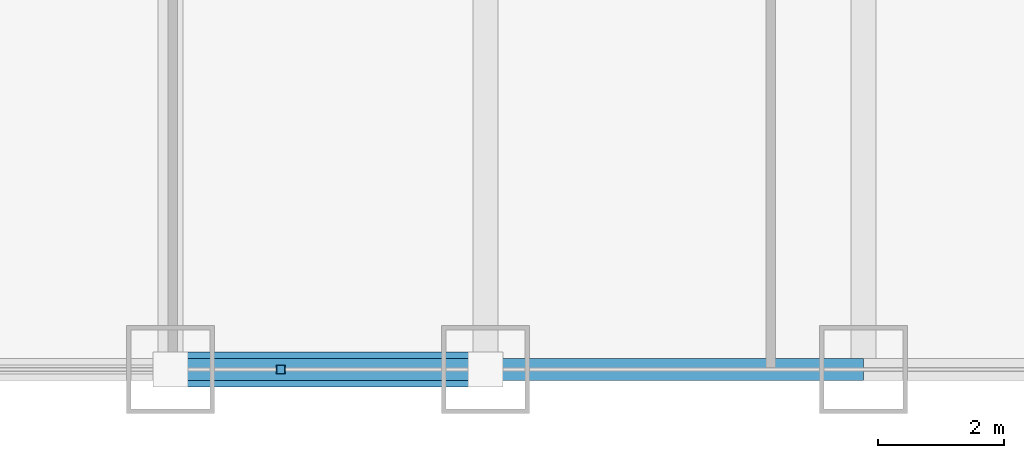
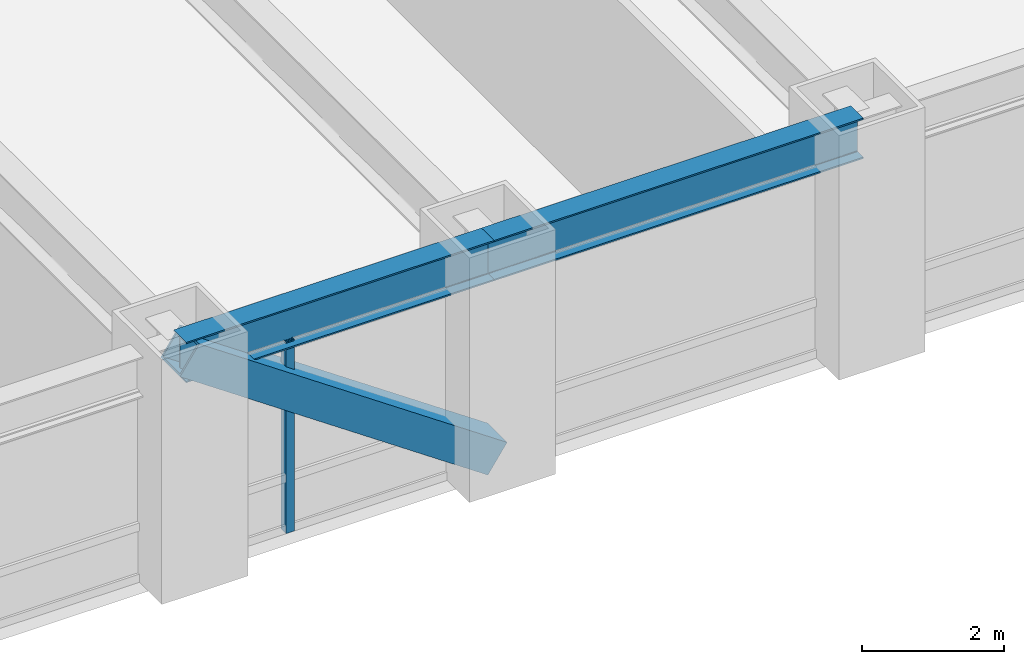
# One storey, part 4 of 27: 2 beams, 2 members, 1 element without a shape of its own.
"""IFC4 building model written with IfcOpenShell, lengths in metres."""

from ifc_helpers import new_model, si_unit, direction, frame, origin, origin_2d, place, context, subcontext, project, spatial, hollow_rectangle, i_section, extrude, source, transform, mapped, material, material_profile, profile_set, type_object, element, aggregate, save


model = new_model("IFC4")

# Units and contexts
model_context = context("Model", 3, precision=1e-05, world=origin(), true_north=direction((0.0, 1.0)))
body_context = subcontext(model_context, "Body", "Model", "MODEL_VIEW")
ifc_project = project(units=[si_unit("LENGTHUNIT", "METRE"), si_unit("AREAUNIT", "SQUARE_METRE"), si_unit("VOLUMEUNIT", "CUBIC_METRE"), si_unit("PLANEANGLEUNIT", "RADIAN"), si_unit("MASSUNIT", "GRAM", prefix="KILO")], contexts=[model_context])

# Site, building, storey
site_placement = place(None, origin())
site = spatial("IfcSite", under=ifc_project, at=site_placement, CompositionType="ELEMENT")
building_placement = place(site_placement, origin())
building = spatial("IfcBuilding", under=site, at=building_placement, Name="Khorayat Bourse Tower", CompositionType="ELEMENT")
storey_placement = place(building_placement, frame((0.0, 0.0, 49.39990234375)))
storey = spatial("IfcBuildingStorey", under=building, at=storey_placement, Name="L10", CompositionType="ELEMENT", Elevation=49.39990234375)

# Beams
ifc_material_1 = material(Name="Steel ASTM A992 Grade 50", Category="steel")
ifc_material_profile_1 = material_profile(ifc_material_1, i_section(OverallWidth=0.35498046875, OverallDepth=0.695068359375, WebThickness=0.015380859375, FlangeThickness=0.02490234375, FilletRadius=0.01806640625, at=origin_2d()), Name="W690X217")
ifc_profile_set_1 = profile_set([ifc_material_profile_1], Name="Steel ASTM A992 Grade 50")
beam_type = type_object("IfcBeamType", Name="BM-SPAN-690", PredefinedType="SPANDREL", material=ifc_profile_set_1)
shared_shape_1 = source(origin(), body_context, "Body", "SweptSolid", [
    extrude(i_section(OverallWidth=0.35498046875, OverallDepth=0.695068359375, WebThickness=0.015380859375, FlangeThickness=0.02490234375, FilletRadius=0.01806640625, at=origin_2d()), origin(), (0.0, 0.0, 1.0), 5.0),
])
beam_1_placement = place(storey_placement, frame((-11.0, -32.0, 3.592529296875), z_axis=(1.0, 0.0, 0.0), x_axis=(0.0, 1.0, 0.0)))
element("IfcBeam", 1, at=beam_1_placement, inside=storey, type_object=beam_type, Name="L10 BM-SPAN-690 BM-L10-SPN-026", PredefinedType="SPANDREL", context=body_context, shape_type="MappedRepresentation", body=[
    mapped(shared_shape_1, transform((0.0, 0.0, 0.0), scale=1.0)),
])
shared_shape_2 = source(origin(), body_context, "Body", "SweptSolid", [
    extrude(i_section(OverallWidth=0.35498046875, OverallDepth=0.695068359375, WebThickness=0.015380859375, FlangeThickness=0.02490234375, FilletRadius=0.01806640625, at=origin_2d()), origin(), (0.0, 0.0, 1.0), 6.0),
])
beam_2_placement = place(storey_placement, frame((-6.0, -32.0, 3.592529296875), z_axis=(1.0, 0.0, 0.0), x_axis=(0.0, 1.0, 0.0)))
element("IfcBeam", 2, at=beam_2_placement, inside=storey, type_object=beam_type, Name="L10 BM-SPAN-690 BM-L10-SPN-027", PredefinedType="SPANDREL", context=body_context, shape_type="MappedRepresentation", body=[
    mapped(shared_shape_2, transform((0.0, 0.0, 0.0), scale=1.0)),
])

# Member
ifc_material_2 = material(Name="Steel EN 10025-4 S460M", Category="steel")
ifc_material_profile_2 = material_profile(ifc_material_2, hollow_rectangle(XDim=0.550048828125, YDim=0.550048828125, WallThickness=0.031982421875, at=origin_2d()), Name="HSS 550x550x32")
ifc_profile_set_2 = profile_set([ifc_material_profile_2], Name="Steel EN 10025-4 S460M")
member_type_1 = type_object("IfcMemberType", Name="MBR-TUBE-550", PredefinedType="BRACE", material=ifc_profile_set_2)
shared_shape_3 = source(origin(), body_context, "Body", "SweptSolid", [
    extrude(hollow_rectangle(XDim=0.550048828125, YDim=0.550048828125, WallThickness=0.031982421875, at=origin_2d()), origin(), (0.0, 0.0, 1.0), 6.069091796875),
])
member_1_placement = place(storey_placement, frame((-11.0, -32.0, 3.690185546875), z_axis=(0.823835295996, 0.0, -0.566829255659), x_axis=(0.0, 1.0, 0.0)))
element("IfcMember", 3, at=member_1_placement, inside=storey, type_object=member_type_1, Name="L10 Perimeter Tube Brace 01", PredefinedType="BRACE", context=body_context, shape_type="MappedRepresentation", body=[
    mapped(shared_shape_3, transform((0.0, 0.0, 0.0), scale=1.0)),
])

# Curtain wall, member
ifc_material_3 = material(Name="Aluminium EN AW-6063 T6", Category="aluminium")
curtain_wall_type = type_object("IfcCurtainWallType", Name="CW-SYS-02", PredefinedType="NOTDEFINED", material=ifc_material_3)
curtain_wall_placement = place(storey_placement, origin())
curtain_wall = element("IfcCurtainWall", 4, at=curtain_wall_placement, inside=storey, type_object=curtain_wall_type, Name="L10 Curtain Wall CW-L10-S1", PredefinedType="NOTDEFINED")
ifc_material_profile_3 = material_profile(ifc_material_3, hollow_rectangle(XDim=0.139892578125, YDim=0.139892578125, WallThickness=0.006103515625, at=origin_2d()), Name="ALU 140x140x6")
ifc_profile_set_3 = profile_set([ifc_material_profile_3], Name="Aluminium EN AW-6063 T6")
member_type_2 = type_object("IfcMemberType", Name="CWM-VERT-140", PredefinedType="MULLION", material=ifc_profile_set_3)
shared_shape_4 = source(origin(), body_context, "Body", "SweptSolid", [
    extrude(hollow_rectangle(XDim=0.139892578125, YDim=0.139892578125, WallThickness=0.006103515625, at=origin_2d()), origin(), (0.0, 0.0, 1.0), 3.2900390625),
])
member_2_placement = place(storey_placement, frame((-9.25, -32.0, 0.0), z_axis=(0.0, 0.0, 1.0), x_axis=(0.0, 1.0, 0.0)))
member_2 = element("IfcMember", 5, at=member_2_placement, type_object=member_type_2, Name="CW-L10-S1 Vertical Mullion 2", PredefinedType="MULLION", context=body_context, shape_type="MappedRepresentation", body=[
    mapped(shared_shape_4, transform((0.0, 0.0, 0.0), scale=1.0)),
])
aggregate(curtain_wall, [member_2])

save(model, "model.ifc")
